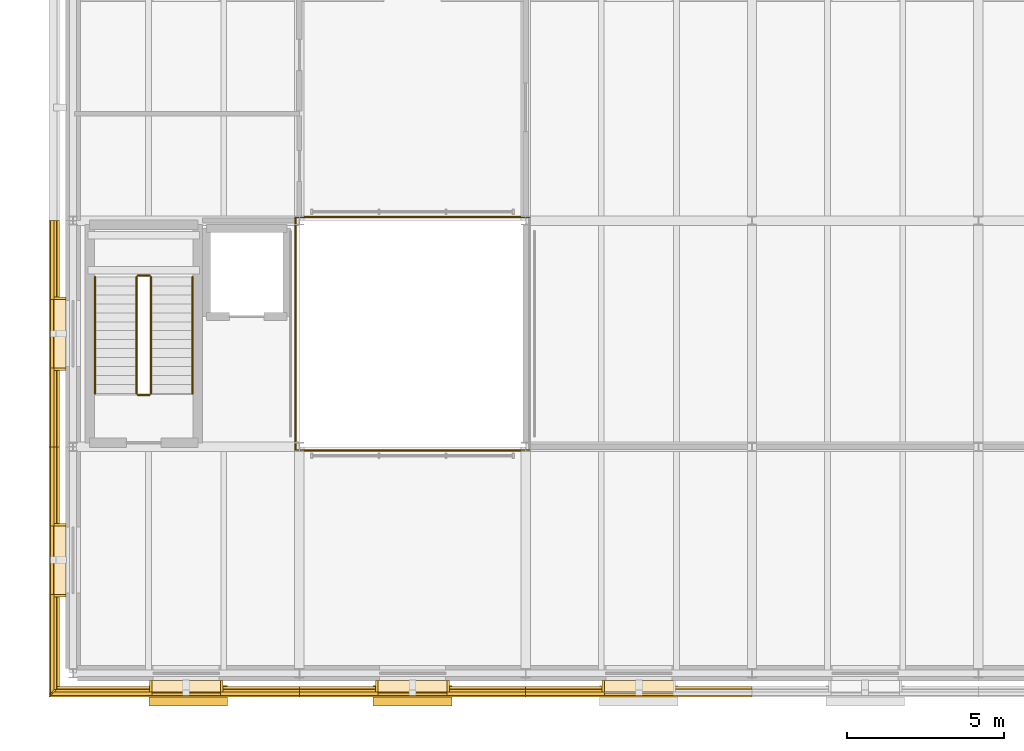
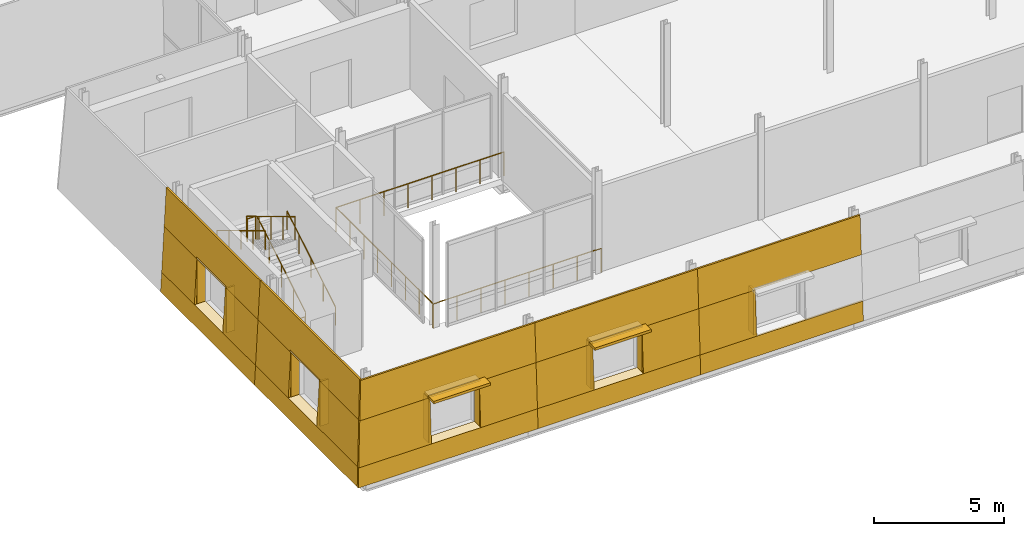
# One storey, part 99 of 121: 37 coverings, 9 railings, 2 shading devices.
"""IFC4 building model written with IfcOpenShell, lengths in metres."""

from ifc_helpers import new_model, si_unit, direction, frame, origin, origin_2d, place, context, subcontext, project, spatial, polyline, rectangle, circle, outline, extrude, material, layer, layer_set, type_object, element, save


model = new_model("IFC4")

# Units and contexts
model_context = context("Model", 3, precision=1e-05, world=origin(), true_north=direction((0.0, 1.0)))
body_context = subcontext(model_context, "Body", "Model", "MODEL_VIEW")
ifc_project = project(units=[si_unit("LENGTHUNIT", "METRE"), si_unit("AREAUNIT", "SQUARE_METRE"), si_unit("VOLUMEUNIT", "CUBIC_METRE"), si_unit("PLANEANGLEUNIT", "RADIAN"), si_unit("MASSUNIT", "GRAM", prefix="KILO")], contexts=[model_context])

# Site, building, storey
site_placement = place(None, origin())
site = spatial("IfcSite", under=ifc_project, at=site_placement, CompositionType="ELEMENT")
building_placement = place(site_placement, origin())
building = spatial("IfcBuilding", under=site, at=building_placement, Name="Narikvali Park Central Library", CompositionType="ELEMENT")
storey_placement = place(building_placement, frame((0.0, 0.0, 5.39990234375)))
storey = spatial("IfcBuildingStorey", under=building, at=storey_placement, Name="L01", CompositionType="ELEMENT", Elevation=5.39990234375)

# Railings
ifc_material_1 = material(Name="Laminated Tempered Glass and Stainless Steel", Category="steel")
ifc_layer_1 = layer(ifc_material_1, 0.06005859375, Name="Laminated Tempered Glass and Stainless Steel")
ifc_layer_set_1 = layer_set([ifc_layer_1], Name="Laminated Tempered Glass and Stainless Steel")
railing_type_1 = type_object("IfcRailingType", Name="Atrium Void Tempered Glass Guardrail 1150", PredefinedType="GUARDRAIL", material=ifc_layer_set_1)
railing_1_placement = place(storey_placement, frame((7.080078125, 7.080078125, 0.0)))
element("IfcRailing", 1, at=railing_1_placement, inside=storey, type_object=railing_type_1, Name="V2 L01 Void Edge Guardrail S", PredefinedType="GUARDRAIL", context=body_context, shape_type="SweptSolid", body=[
    extrude(circle(Radius=0.02392578125, at=origin_2d()), frame((0.0, 0.0, 1.1259765625), z_axis=(1.0, 0.0, 0.0), x_axis=(0.0, 1.0, 0.0)), (0.0, 0.0, 1.0), 7.43994140625),
    extrude(circle(Radius=0.02099609375, at=origin_2d()), origin(), (0.0, 0.0, 1.0), 1.101806640625),
    extrude(circle(Radius=0.02099609375, at=origin_2d()), frame((1.062744140625, 0.0, 0.0)), (0.0, 0.0, 1.0), 1.101806640625),
    extrude(circle(Radius=0.02099609375, at=origin_2d()), frame((2.125732421875, 0.0, 0.0)), (0.0, 0.0, 1.0), 1.101806640625),
    extrude(circle(Radius=0.02099609375, at=origin_2d()), frame((3.1884765625, 0.0, 0.0)), (0.0, 0.0, 1.0), 1.101806640625),
    extrude(circle(Radius=0.02099609375, at=origin_2d()), frame((4.25146484375, 0.0, 0.0)), (0.0, 0.0, 1.0), 1.101806640625),
    extrude(circle(Radius=0.02099609375, at=origin_2d()), frame((5.314208984375, 0.0, 0.0)), (0.0, 0.0, 1.0), 1.101806640625),
    extrude(circle(Radius=0.02099609375, at=origin_2d()), frame((6.377197265625, 0.0, 0.0)), (0.0, 0.0, 1.0), 1.101806640625),
    extrude(circle(Radius=0.02099609375, at=origin_2d()), frame((7.43994140625, 0.0, 0.0)), (0.0, 0.0, 1.0), 1.101806640625),
])
railing_2_placement = place(storey_placement, frame((14.52001953125, 14.52001953125, 0.0)))
element("IfcRailing", 2, at=railing_2_placement, inside=storey, type_object=railing_type_1, Name="V2 L01 Void Edge Guardrail N", PredefinedType="GUARDRAIL", context=body_context, shape_type="SweptSolid", body=[
    extrude(circle(Radius=0.02392578125, at=origin_2d()), frame((0.0, 0.0, 1.1259765625), z_axis=(-1.0, 0.0, 0.0), x_axis=(0.0, -1.0, 0.0)), (0.0, 0.0, 1.0), 7.43994140625),
    extrude(circle(Radius=0.02099609375, at=origin_2d()), origin(), (0.0, 0.0, 1.0), 1.101806640625),
    extrude(circle(Radius=0.02099609375, at=origin_2d()), frame((-1.062744140625, 0.0, 0.0)), (0.0, 0.0, 1.0), 1.101806640625),
    extrude(circle(Radius=0.02099609375, at=origin_2d()), frame((-2.125732421875, 0.0, 0.0)), (0.0, 0.0, 1.0), 1.101806640625),
    extrude(circle(Radius=0.02099609375, at=origin_2d()), frame((-3.1884765625, 0.0, 0.0)), (0.0, 0.0, 1.0), 1.101806640625),
    extrude(circle(Radius=0.02099609375, at=origin_2d()), frame((-4.25146484375, 0.0, 0.0)), (0.0, 0.0, 1.0), 1.101806640625),
    extrude(circle(Radius=0.02099609375, at=origin_2d()), frame((-5.314208984375, 0.0, 0.0)), (0.0, 0.0, 1.0), 1.101806640625),
    extrude(circle(Radius=0.02099609375, at=origin_2d()), frame((-6.377197265625, 0.0, 0.0)), (0.0, 0.0, 1.0), 1.101806640625),
    extrude(circle(Radius=0.02099609375, at=origin_2d()), frame((-7.43994140625, 0.0, 0.0)), (0.0, 0.0, 1.0), 1.101806640625),
])
railing_3_placement = place(storey_placement, frame((7.080078125, 14.52001953125, 0.0)))
element("IfcRailing", 3, at=railing_3_placement, inside=storey, type_object=railing_type_1, Name="V2 L01 Void Edge Guardrail W", PredefinedType="GUARDRAIL", context=body_context, shape_type="SweptSolid", body=[
    extrude(circle(Radius=0.02392578125, at=origin_2d()), frame((0.0, 0.0, 1.1259765625), z_axis=(0.0, -1.0, 0.0), x_axis=(1.0, 0.0, 0.0)), (0.0, 0.0, 1.0), 7.43994140625),
    extrude(circle(Radius=0.02099609375, at=origin_2d()), origin(), (0.0, 0.0, 1.0), 1.101806640625),
    extrude(circle(Radius=0.02099609375, at=origin_2d()), frame((0.0, -1.062744140625, 0.0)), (0.0, 0.0, 1.0), 1.101806640625),
    extrude(circle(Radius=0.02099609375, at=origin_2d()), frame((0.0, -2.125732421875, 0.0)), (0.0, 0.0, 1.0), 1.101806640625),
    extrude(circle(Radius=0.02099609375, at=origin_2d()), frame((0.0, -3.1884765625, 0.0)), (0.0, 0.0, 1.0), 1.101806640625),
    extrude(circle(Radius=0.02099609375, at=origin_2d()), frame((0.0, -4.25146484375, 0.0)), (0.0, 0.0, 1.0), 1.101806640625),
    extrude(circle(Radius=0.02099609375, at=origin_2d()), frame((0.0, -5.314208984375, 0.0)), (0.0, 0.0, 1.0), 1.101806640625),
    extrude(circle(Radius=0.02099609375, at=origin_2d()), frame((0.0, -6.377197265625, 0.0)), (0.0, 0.0, 1.0), 1.101806640625),
    extrude(circle(Radius=0.02099609375, at=origin_2d()), frame((0.0, -7.43994140625, 0.0)), (0.0, 0.0, 1.0), 1.101806640625),
])

# Coverings
ifc_material_2 = material(Name="White Honed Limestone Cladding", Category="masonry")
ifc_layer_2 = layer(ifc_material_2, 0.0849609375, Name="White Honed Limestone Cladding")
ifc_layer_set_2 = layer_set([ifc_layer_2], Name="White Honed Limestone Cladding")
covering_type_1 = type_object("IfcCoveringType", Name="Battered White Limestone Facade Cladding Panel", PredefinedType="CLADDING", material=ifc_layer_set_2)
covering_1_placement = place(storey_placement, frame((-0.758544921875, -0.758544921875, 0.0), z_axis=(0.0, -0.998646856064, 0.05200439283), x_axis=(1.0, 0.0, 0.0)))
element("IfcCovering", 4, at=covering_1_placement, inside=storey, type_object=covering_type_1, Name="V2 L01 S Battered Limestone Spandrel B01", PredefinedType="CLADDING", context=body_context, shape_type="SweptSolid", body=[
    extrude(outline(polyline([(0.0, 0.0), (7.95849609375, 0.0), (7.95849609375, 0.9013661625320046), (0.046875, 0.9013661625320046), (0.0, 0.0)])), origin(), (0.0, 0.0, -1.0), 0.0849609375),
])
covering_2_placement = place(storey_placement, frame((-0.602294921875, -0.602294921875, 3.0), z_axis=(0.0, -0.998639445418, 0.052146505695), x_axis=(1.0, 0.0, 0.0)))
element("IfcCovering", 5, at=covering_2_placement, inside=storey, type_object=covering_type_1, Name="V2 L01 S Battered Limestone Lintel B01", PredefinedType="CLADDING", context=body_context, shape_type="SweptSolid", body=[
    extrude(outline(polyline([(0.0, 0.0), (7.80224609375, 0.0), (7.80224609375, 1.8025012294325955), (0.093994140625, 1.8025012294325955), (0.0, 0.0)])), origin(), (0.0, 0.0, -1.0), 0.0849609375),
])
covering_3_placement = place(storey_placement, frame((-0.711669921875, -0.711669921875, 0.900146484375), z_axis=(0.0, -0.998646227972, 0.052016452753), x_axis=(1.0, 0.0, 0.0)))
element("IfcCovering", 6, at=covering_3_placement, inside=storey, type_object=covering_type_1, Name="V2 L01 S Battered Limestone Jamb Pier L B01", PredefinedType="CLADDING", context=body_context, shape_type="SweptSolid", body=[
    extrude(outline(polyline([(0.0, 0.0), (3.2216796875, 0.0), (3.2216796875, 2.1027000921928147), (0.109375, 2.1027000921928147), (0.0, 0.0)])), origin(), (0.0, 0.0, -1.0), 0.0849609375),
])
covering_4_placement = place(storey_placement, frame((4.68994140625, -0.711669921875, 0.900146484375), z_axis=(0.0, -0.998646227972, 0.052016452753), x_axis=(1.0, 0.0, 0.0)))
element("IfcCovering", 7, at=covering_4_placement, inside=storey, type_object=covering_type_1, Name="V2 L01 S Battered Limestone Jamb Pier R B01", PredefinedType="CLADDING", context=body_context, shape_type="SweptSolid", body=[
    extrude(outline(polyline([(0.0, 0.0), (2.510009765625, 0.0), (2.510009765625, 2.102700092192815), (0.0, 2.102700092192815), (0.0, 0.0)])), origin(), (0.0, 0.0, -1.0), 0.0849609375),
])
covering_5_placement = place(storey_placement, frame((7.199951171875, -0.758544921875, 0.0), z_axis=(0.0, -0.998646856064, 0.05200439283), x_axis=(1.0, 0.0, 0.0)))
element("IfcCovering", 8, at=covering_5_placement, inside=storey, type_object=covering_type_1, Name="V2 L01 S Battered Limestone Spandrel B02", PredefinedType="CLADDING", context=body_context, shape_type="SweptSolid", body=[
    extrude(outline(polyline([(0.0, 0.0), (7.199951171875, 0.0), (7.199951171875, 0.9013661625320046), (0.0, 0.9013661625320046), (0.0, 0.0)])), origin(), (0.0, 0.0, -1.0), 0.0849609375),
])
covering_6_placement = place(storey_placement, frame((7.199951171875, -0.602294921875, 3.0), z_axis=(0.0, -0.998639445418, 0.052146505695), x_axis=(1.0, 0.0, 0.0)))
element("IfcCovering", 9, at=covering_6_placement, inside=storey, type_object=covering_type_1, Name="V2 L01 S Battered Limestone Lintel B02", PredefinedType="CLADDING", context=body_context, shape_type="SweptSolid", body=[
    extrude(outline(polyline([(0.0, 0.0), (7.199951171875, 0.0), (7.199951171875, 1.8025012294325955), (0.0, 1.8025012294325955), (0.0, 0.0)])), origin(), (0.0, 0.0, -1.0), 0.0849609375),
])
for number, where, z_axis, x_axis, name in (
    (10, (7.199951171875, -0.711669921875, 0.900146484375), (0.0, -0.998646227972, 0.052016452753), (1.0, 0.0, 0.0), "V2 L01 S Battered Limestone Jamb Pier L B02"),
    (11, (11.889892578125, -0.711669921875, 0.900146484375), (0.0, -0.998646227972, 0.052016452753), (1.0, 0.0, 0.0), "V2 L01 S Battered Limestone Jamb Pier R B02"),
):
    element("IfcCovering", number, at=place(storey_placement, frame(where, z_axis=z_axis, x_axis=x_axis)), inside=storey, type_object=covering_type_1, Name=name, PredefinedType="CLADDING", context=body_context, shape_type="SweptSolid", body=[
        extrude(outline(polyline([(0.0, 0.0), (2.510009765625, 0.0), (2.510009765625, 2.102700092192815), (0.0, 2.102700092192815), (0.0, 0.0)])), origin(), (0.0, 0.0, -1.0), 0.0849609375),
    ])
covering_7_placement = place(storey_placement, frame((14.39990234375, -0.758544921875, 0.0), z_axis=(0.0, -0.998646856064, 0.05200439283), x_axis=(1.0, 0.0, 0.0)))
element("IfcCovering", 12, at=covering_7_placement, inside=storey, type_object=covering_type_1, Name="V2 L01 S Battered Limestone Spandrel B03", PredefinedType="CLADDING", context=body_context, shape_type="SweptSolid", body=[
    extrude(outline(polyline([(0.0, 0.0), (7.2001953125, 0.0), (7.2001953125, 0.9013661625320046), (0.0, 0.9013661625320046), (0.0, 0.0)])), origin(), (0.0, 0.0, -1.0), 0.0849609375),
])
covering_8_placement = place(storey_placement, frame((14.39990234375, -0.602294921875, 3.0), z_axis=(0.0, -0.998639445418, 0.052146505695), x_axis=(1.0, 0.0, 0.0)))
element("IfcCovering", 13, at=covering_8_placement, inside=storey, type_object=covering_type_1, Name="V2 L01 S Battered Limestone Lintel B03", PredefinedType="CLADDING", context=body_context, shape_type="SweptSolid", body=[
    extrude(outline(polyline([(0.0, 0.0), (7.2001953125, 0.0), (7.2001953125, 1.8025012294325955), (0.0, 1.8025012294325955), (0.0, 0.0)])), origin(), (0.0, 0.0, -1.0), 0.0849609375),
])
covering_9_placement = place(storey_placement, frame((14.39990234375, -0.711669921875, 0.900146484375), z_axis=(0.0, -0.998646227972, 0.052016452753), x_axis=(1.0, 0.0, 0.0)))
element("IfcCovering", 14, at=covering_9_placement, inside=storey, type_object=covering_type_1, Name="V2 L01 S Battered Limestone Jamb Pier L B03", PredefinedType="CLADDING", context=body_context, shape_type="SweptSolid", body=[
    extrude(outline(polyline([(0.0, 0.0), (2.510009765625, 0.0), (2.510009765625, 2.102700092192815), (0.0, 2.102700092192815), (0.0, 0.0)])), origin(), (0.0, 0.0, -1.0), 0.0849609375),
])
covering_10_placement = place(storey_placement, frame((-0.758544921875, 14.39990234375, 0.0), z_axis=(-0.998646856064, 0.0, 0.05200439283), x_axis=(0.0, -1.0, 0.0)))
element("IfcCovering", 15, at=covering_10_placement, inside=storey, type_object=covering_type_1, Name="V2 L01 W Battered Limestone Spandrel B02", PredefinedType="CLADDING", context=body_context, shape_type="SweptSolid", body=[
    extrude(outline(polyline([(0.0, 0.0), (7.199951171875, 0.0), (7.199951171875, 0.9013661625320046), (0.0, 0.9013661625320046), (0.0, 0.0)])), origin(), (0.0, 0.0, -1.0), 0.0849609375),
])
covering_11_placement = place(storey_placement, frame((-0.602294921875, 14.39990234375, 3.0), z_axis=(-0.998639445418, 0.0, 0.052146505695), x_axis=(0.0, -1.0, 0.0)))
element("IfcCovering", 16, at=covering_11_placement, inside=storey, type_object=covering_type_1, Name="V2 L01 W Battered Limestone Lintel B02", PredefinedType="CLADDING", context=body_context, shape_type="SweptSolid", body=[
    extrude(outline(polyline([(0.0, 0.0), (7.199951171875, 0.0), (7.199951171875, 1.8025012294325955), (0.0, 1.8025012294325955), (0.0, 0.0)])), origin(), (0.0, 0.0, -1.0), 0.0849609375),
])
for number, where, z_axis, x_axis, name in (
    (17, (-0.711669921875, 14.39990234375, 0.900146484375), (-0.998646227972, 0.0, 0.052016452753), (0.0, -1.0, 0.0), "V2 L01 W Battered Limestone Jamb Pier L B02"),
    (18, (-0.711669921875, 9.7099609375, 0.900146484375), (-0.998646227972, 0.0, 0.052016452753), (0.0, -1.0, 0.0), "V2 L01 W Battered Limestone Jamb Pier R B02"),
):
    element("IfcCovering", number, at=place(storey_placement, frame(where, z_axis=z_axis, x_axis=x_axis)), inside=storey, type_object=covering_type_1, Name=name, PredefinedType="CLADDING", context=body_context, shape_type="SweptSolid", body=[
        extrude(outline(polyline([(0.0, 0.0), (2.510009765625, 0.0), (2.510009765625, 2.102700092192815), (0.0, 2.102700092192815), (0.0, 0.0)])), origin(), (0.0, 0.0, -1.0), 0.0849609375),
    ])
covering_12_placement = place(storey_placement, frame((-0.758544921875, 7.199951171875, 0.0), z_axis=(-0.998646856064, 0.0, 0.05200439283), x_axis=(0.0, -1.0, 0.0)))
element("IfcCovering", 19, at=covering_12_placement, inside=storey, type_object=covering_type_1, Name="V2 L01 W Battered Limestone Spandrel B03", PredefinedType="CLADDING", context=body_context, shape_type="SweptSolid", body=[
    extrude(outline(polyline([(0.0, 0.0), (7.87353515625, 0.0), (7.82666015625, 0.9013661625320045), (0.0, 0.9013661625320045), (0.0, 0.0)])), origin(), (0.0, 0.0, -1.0), 0.0849609375),
])
covering_13_placement = place(storey_placement, frame((-0.602294921875, 7.199951171875, 3.0), z_axis=(-0.998639445418, 0.0, 0.052146505695), x_axis=(0.0, -1.0, 0.0)))
element("IfcCovering", 20, at=covering_13_placement, inside=storey, type_object=covering_type_1, Name="V2 L01 W Battered Limestone Lintel B03", PredefinedType="CLADDING", context=body_context, shape_type="SweptSolid", body=[
    extrude(outline(polyline([(0.0, 0.0), (7.717041015625, 0.0), (7.623291015625, 1.8025012294325955), (0.0, 1.8025012294325955), (0.0, 0.0)])), origin(), (0.0, 0.0, -1.0), 0.0849609375),
])
covering_14_placement = place(storey_placement, frame((-0.711669921875, 7.199951171875, 0.900146484375), z_axis=(-0.998646227972, 0.0, 0.052016452753), x_axis=(0.0, -1.0, 0.0)))
element("IfcCovering", 21, at=covering_14_placement, inside=storey, type_object=covering_type_1, Name="V2 L01 W Battered Limestone Jamb Pier L B03", PredefinedType="CLADDING", context=body_context, shape_type="SweptSolid", body=[
    extrude(outline(polyline([(0.0, 0.0), (2.510009765625, 0.0), (2.510009765625, 2.102700092192815), (0.0, 2.102700092192815), (0.0, 0.0)])), origin(), (0.0, 0.0, -1.0), 0.0849609375),
])
covering_15_placement = place(storey_placement, frame((-0.711669921875, 2.510009765625, 0.900146484375), z_axis=(-0.998646227972, 0.0, 0.052016452753), x_axis=(0.0, -1.0, 0.0)))
element("IfcCovering", 22, at=covering_15_placement, inside=storey, type_object=covering_type_1, Name="V2 L01 W Battered Limestone Jamb Pier R B03", PredefinedType="CLADDING", context=body_context, shape_type="SweptSolid", body=[
    extrude(outline(polyline([(0.0, 0.0), (3.13671875, 0.0), (3.027099609375, 2.102700092192815), (0.0, 2.102700092192815), (0.0, 0.0)])), origin(), (0.0, 0.0, -1.0), 0.0849609375),
])

# Shading devices
ifc_material_3 = material(Name="Anodised Bronze Aluminium", Category="aluminium")
ifc_layer_3 = layer(ifc_material_3, 0.1201171875, Name="Anodised Bronze Aluminium")
ifc_layer_set_3 = layer_set([ifc_layer_3], Name="Anodised Bronze Aluminium")
shading_device_type = type_object("IfcShadingDeviceType", Name="Bronze Classical Cornice Sun Brise-Soleil 650", PredefinedType="SHUTTER", material=ifc_layer_set_3)
for number, where, z_axis, x_axis, name in (
    (23, (3.672119140625, -0.719970703125, 3.0), (0.0, 0.0, 1.0), (1.0, 0.0, 0.0), "V2 L01 Classical Bronze Brise-Soleil 01"),
    (24, (10.800048828125, -0.719970703125, 3.0), (0.0, 0.0, 1.0), (1.0, 0.0, 0.0), "V2 L01 Classical Bronze Brise-Soleil 02"),
):
    element("IfcShadingDevice", number, at=place(storey_placement, frame(where, z_axis=z_axis, x_axis=x_axis)), inside=storey, type_object=shading_device_type, Name=name, PredefinedType="SHUTTER", context=body_context, shape_type="SweptSolid", body=[
        extrude(rectangle(XDim=2.5, YDim=0.64990234375, at=origin_2d()), origin(), (0.0, 0.0, 1.0), 0.1201171875),
    ])

# Coverings
ifc_layer_4 = layer(ifc_material_2, 0.080078125, Name="White Honed Limestone Cladding")
ifc_layer_set_4 = layer_set([ifc_layer_4], Name="White Honed Limestone Cladding")
covering_type_2 = type_object("IfcCoveringType", Name="Deep Carved White Limestone Window Reveal", PredefinedType="CLADDING", material=ifc_layer_set_4)
covering_16_placement = place(storey_placement, frame((0.0, 0.0, 3.0)))
element("IfcCovering", 25, at=covering_16_placement, inside=storey, type_object=covering_type_2, Name="Deep Stone Reveal Head V2-RVL-L01-S-B01", PredefinedType="CLADDING", context=body_context, shape_type="SweptSolid", body=[
    extrude(outline(polyline([(2.469970703125, -0.22509765625), (4.72998046875, -0.22509765625), (4.72998046875, -0.602294921875), (2.469970703125, -0.602294921875), (2.469970703125, -0.22509765625)])), origin(), (0.0, 0.0, 1.0), 0.080078125),
])
covering_17_placement = place(storey_placement, frame((0.0, 0.0, 0.820068359375)))
element("IfcCovering", 26, at=covering_17_placement, inside=storey, type_object=covering_type_2, Name="Deep Stone Reveal Sill V2-RVL-L01-S-B01", PredefinedType="CLADDING", context=body_context, shape_type="SweptSolid", body=[
    extrude(outline(polyline([(2.469970703125, -0.22509765625), (4.72998046875, -0.22509765625), (4.72998046875, -0.711669921875), (2.469970703125, -0.711669921875), (2.469970703125, -0.22509765625)])), origin(), (0.0, 0.0, 1.0), 0.080078125),
])
covering_18_placement = place(storey_placement, frame((0.0, 0.0, 0.900146484375)))
element("IfcCovering", 27, at=covering_18_placement, inside=storey, type_object=covering_type_2, Name="Deep Stone Reveal Jamb L V2-RVL-L01-S-B01", PredefinedType="CLADDING", context=body_context, shape_type="SweptSolid", body=[
    extrude(outline(polyline([(2.429931640625, -0.22509765625), (2.510009765625, -0.22509765625), (2.510009765625, -0.602294921875), (2.429931640625, -0.602294921875), (2.429931640625, -0.22509765625)])), origin(), (0.0, 0.0, 1.0), 2.099853515625),
])
covering_19_placement = place(storey_placement, frame((0.0, 0.0, 0.900146484375)))
element("IfcCovering", 28, at=covering_19_placement, inside=storey, type_object=covering_type_2, Name="Deep Stone Reveal Jamb R V2-RVL-L01-S-B01", PredefinedType="CLADDING", context=body_context, shape_type="SweptSolid", body=[
    extrude(outline(polyline([(4.68994140625, -0.22509765625), (4.77001953125, -0.22509765625), (4.77001953125, -0.602294921875), (4.68994140625, -0.602294921875), (4.68994140625, -0.22509765625)])), origin(), (0.0, 0.0, 1.0), 2.099853515625),
])
covering_20_placement = place(storey_placement, frame((0.0, 0.0, 3.0)))
element("IfcCovering", 29, at=covering_20_placement, inside=storey, type_object=covering_type_2, Name="Deep Stone Reveal Head V2-RVL-L01-S-B02", PredefinedType="CLADDING", context=body_context, shape_type="SweptSolid", body=[
    extrude(outline(polyline([(9.669921875, -0.22509765625), (11.929931640625, -0.22509765625), (11.929931640625, -0.602294921875), (9.669921875, -0.602294921875), (9.669921875, -0.22509765625)])), origin(), (0.0, 0.0, 1.0), 0.080078125),
])
covering_21_placement = place(storey_placement, frame((0.0, 0.0, 0.820068359375)))
element("IfcCovering", 30, at=covering_21_placement, inside=storey, type_object=covering_type_2, Name="Deep Stone Reveal Sill V2-RVL-L01-S-B02", PredefinedType="CLADDING", context=body_context, shape_type="SweptSolid", body=[
    extrude(outline(polyline([(9.669921875, -0.22509765625), (11.929931640625, -0.22509765625), (11.929931640625, -0.711669921875), (9.669921875, -0.711669921875), (9.669921875, -0.22509765625)])), origin(), (0.0, 0.0, 1.0), 0.080078125),
])
covering_22_placement = place(storey_placement, frame((0.0, 0.0, 0.900146484375)))
element("IfcCovering", 31, at=covering_22_placement, inside=storey, type_object=covering_type_2, Name="Deep Stone Reveal Jamb L V2-RVL-L01-S-B02", PredefinedType="CLADDING", context=body_context, shape_type="SweptSolid", body=[
    extrude(outline(polyline([(9.6298828125, -0.22509765625), (9.7099609375, -0.22509765625), (9.7099609375, -0.602294921875), (9.6298828125, -0.602294921875), (9.6298828125, -0.22509765625)])), origin(), (0.0, 0.0, 1.0), 2.099853515625),
])
covering_23_placement = place(storey_placement, frame((0.0, 0.0, 0.900146484375)))
element("IfcCovering", 32, at=covering_23_placement, inside=storey, type_object=covering_type_2, Name="Deep Stone Reveal Jamb R V2-RVL-L01-S-B02", PredefinedType="CLADDING", context=body_context, shape_type="SweptSolid", body=[
    extrude(outline(polyline([(11.889892578125, -0.22509765625), (11.969970703125, -0.22509765625), (11.969970703125, -0.602294921875), (11.889892578125, -0.602294921875), (11.889892578125, -0.22509765625)])), origin(), (0.0, 0.0, 1.0), 2.099853515625),
])
covering_24_placement = place(storey_placement, frame((0.0, 0.0, 3.0)))
element("IfcCovering", 33, at=covering_24_placement, inside=storey, type_object=covering_type_2, Name="Deep Stone Reveal Head V2-RVL-L01-S-B03", PredefinedType="CLADDING", context=body_context, shape_type="SweptSolid", body=[
    extrude(outline(polyline([(16.8701171875, -0.22509765625), (19.1298828125, -0.22509765625), (19.1298828125, -0.602294921875), (16.8701171875, -0.602294921875), (16.8701171875, -0.22509765625)])), origin(), (0.0, 0.0, 1.0), 0.080078125),
])
covering_25_placement = place(storey_placement, frame((0.0, 0.0, 0.900146484375)))
element("IfcCovering", 34, at=covering_25_placement, inside=storey, type_object=covering_type_2, Name="Deep Stone Reveal Jamb L V2-RVL-L01-S-B03", PredefinedType="CLADDING", context=body_context, shape_type="SweptSolid", body=[
    extrude(outline(polyline([(16.830078125, -0.22509765625), (16.909912109375, -0.22509765625), (16.909912109375, -0.602294921875), (16.830078125, -0.602294921875), (16.830078125, -0.22509765625)])), origin(), (0.0, 0.0, 1.0), 2.099853515625),
])
covering_26_placement = place(storey_placement, frame((0.0, 0.0, 3.0)))
element("IfcCovering", 35, at=covering_26_placement, inside=storey, type_object=covering_type_2, Name="Deep Stone Reveal Head V2-RVL-L01-W-B02", PredefinedType="CLADDING", context=body_context, shape_type="SweptSolid", body=[
    extrude(outline(polyline([(-0.22509765625, 11.929931640625), (-0.22509765625, 9.669921875), (-0.602294921875, 9.669921875), (-0.602294921875, 11.929931640625), (-0.22509765625, 11.929931640625)])), origin(), (0.0, 0.0, 1.0), 0.080078125),
])
covering_27_placement = place(storey_placement, frame((0.0, 0.0, 0.820068359375)))
element("IfcCovering", 36, at=covering_27_placement, inside=storey, type_object=covering_type_2, Name="Deep Stone Reveal Sill V2-RVL-L01-W-B02", PredefinedType="CLADDING", context=body_context, shape_type="SweptSolid", body=[
    extrude(outline(polyline([(-0.22509765625, 11.929931640625), (-0.22509765625, 9.669921875), (-0.711669921875, 9.669921875), (-0.711669921875, 11.929931640625), (-0.22509765625, 11.929931640625)])), origin(), (0.0, 0.0, 1.0), 0.080078125),
])
covering_28_placement = place(storey_placement, frame((0.0, 0.0, 0.900146484375)))
element("IfcCovering", 37, at=covering_28_placement, inside=storey, type_object=covering_type_2, Name="Deep Stone Reveal Jamb L V2-RVL-L01-W-B02", PredefinedType="CLADDING", context=body_context, shape_type="SweptSolid", body=[
    extrude(outline(polyline([(-0.22509765625, 11.969970703125), (-0.22509765625, 11.889892578125), (-0.602294921875, 11.889892578125), (-0.602294921875, 11.969970703125), (-0.22509765625, 11.969970703125)])), origin(), (0.0, 0.0, 1.0), 2.099853515625),
])
covering_29_placement = place(storey_placement, frame((0.0, 0.0, 0.900146484375)))
element("IfcCovering", 38, at=covering_29_placement, inside=storey, type_object=covering_type_2, Name="Deep Stone Reveal Jamb R V2-RVL-L01-W-B02", PredefinedType="CLADDING", context=body_context, shape_type="SweptSolid", body=[
    extrude(outline(polyline([(-0.22509765625, 9.7099609375), (-0.22509765625, 9.6298828125), (-0.602294921875, 9.6298828125), (-0.602294921875, 9.7099609375), (-0.22509765625, 9.7099609375)])), origin(), (0.0, 0.0, 1.0), 2.099853515625),
])
covering_30_placement = place(storey_placement, frame((0.0, 0.0, 3.0)))
element("IfcCovering", 39, at=covering_30_placement, inside=storey, type_object=covering_type_2, Name="Deep Stone Reveal Head V2-RVL-L01-W-B03", PredefinedType="CLADDING", context=body_context, shape_type="SweptSolid", body=[
    extrude(outline(polyline([(-0.22509765625, 4.72998046875), (-0.22509765625, 2.469970703125), (-0.602294921875, 2.469970703125), (-0.602294921875, 4.72998046875), (-0.22509765625, 4.72998046875)])), origin(), (0.0, 0.0, 1.0), 0.080078125),
])
covering_31_placement = place(storey_placement, frame((0.0, 0.0, 0.820068359375)))
element("IfcCovering", 40, at=covering_31_placement, inside=storey, type_object=covering_type_2, Name="Deep Stone Reveal Sill V2-RVL-L01-W-B03", PredefinedType="CLADDING", context=body_context, shape_type="SweptSolid", body=[
    extrude(outline(polyline([(-0.22509765625, 4.72998046875), (-0.22509765625, 2.469970703125), (-0.711669921875, 2.469970703125), (-0.711669921875, 4.72998046875), (-0.22509765625, 4.72998046875)])), origin(), (0.0, 0.0, 1.0), 0.080078125),
])
covering_32_placement = place(storey_placement, frame((0.0, 0.0, 0.900146484375)))
element("IfcCovering", 41, at=covering_32_placement, inside=storey, type_object=covering_type_2, Name="Deep Stone Reveal Jamb L V2-RVL-L01-W-B03", PredefinedType="CLADDING", context=body_context, shape_type="SweptSolid", body=[
    extrude(outline(polyline([(-0.22509765625, 4.77001953125), (-0.22509765625, 4.68994140625), (-0.602294921875, 4.68994140625), (-0.602294921875, 4.77001953125), (-0.22509765625, 4.77001953125)])), origin(), (0.0, 0.0, 1.0), 2.099853515625),
])
covering_33_placement = place(storey_placement, frame((0.0, 0.0, 0.900146484375)))
element("IfcCovering", 42, at=covering_33_placement, inside=storey, type_object=covering_type_2, Name="Deep Stone Reveal Jamb R V2-RVL-L01-W-B03", PredefinedType="CLADDING", context=body_context, shape_type="SweptSolid", body=[
    extrude(outline(polyline([(-0.22509765625, 2.510009765625), (-0.22509765625, 2.429931640625), (-0.602294921875, 2.429931640625), (-0.602294921875, 2.510009765625), (-0.22509765625, 2.510009765625)])), origin(), (0.0, 0.0, 1.0), 2.099853515625),
])

# Railings
ifc_material_4 = material(Name="Brushed Stainless Steel S355", Category="steel")
ifc_layer_5 = layer(ifc_material_4, 0.044921875, Name="Brushed Stainless Steel S355")
ifc_layer_set_5 = layer_set([ifc_layer_5], Name="Brushed Stainless Steel S355")
railing_type_2 = type_object("IfcRailingType", Name="Stair Tubular Steel Handrail 900", PredefinedType="HANDRAIL", material=ifc_layer_set_5)
railing_4_placement = place(storey_placement, frame((3.800048828125, 8.89990234375, 0.171630859375)))
element("IfcRailing", 43, at=railing_4_placement, inside=storey, type_object=railing_type_2, Name="L01 ST-03 stair handrail 1", PredefinedType="HANDRAIL", context=body_context, shape_type="SweptSolid", body=[
    extrude(circle(Radius=0.02392578125, at=origin_2d()), frame((0.0, 0.0, 0.8759765625), z_axis=(0.0, 0.856934400257, 0.515425487977), x_axis=(-1.0, 0.0, 0.0)), (0.0, 0.0, 1.0), 4.32373046875),
    extrude(circle(Radius=0.02099609375, at=origin_2d()), origin(), (0.0, 0.0, 1.0), 0.851806640625),
    extrude(circle(Radius=0.02099609375, at=origin_2d()), frame((0.0, 0.92626953125, 0.55712890625)), (0.0, 0.0, 1.0), 0.851806640625),
    extrude(circle(Radius=0.02099609375, at=origin_2d()), frame((0.0, 1.8525390625, 1.1142578125)), (0.0, 0.0, 1.0), 0.851806640625),
    extrude(circle(Radius=0.02099609375, at=origin_2d()), frame((0.0, 2.77880859375, 1.67138671875)), (0.0, 0.0, 1.0), 0.851806640625),
    extrude(circle(Radius=0.02099609375, at=origin_2d()), frame((0.0, 3.705078125, 2.228515625)), (0.0, 0.0, 1.0), 0.851806640625),
])
railing_5_placement = place(storey_placement, frame((0.699951171875, 12.60498046875, 2.571533203125)))
element("IfcRailing", 44, at=railing_5_placement, inside=storey, type_object=railing_type_2, Name="L01 ST-03 stair handrail 2", PredefinedType="HANDRAIL", context=body_context, shape_type="SweptSolid", body=[
    extrude(circle(Radius=0.02392578125, at=origin_2d()), frame((0.0, 0.0, 0.8759765625), z_axis=(0.0, -0.856934400257, 0.515425487977), x_axis=(1.0, 0.0, 0.0)), (0.0, 0.0, 1.0), 4.32373046875),
    extrude(circle(Radius=0.02099609375, at=origin_2d()), origin(), (0.0, 0.0, 1.0), 0.851806640625),
    extrude(circle(Radius=0.02099609375, at=origin_2d()), frame((0.0, -0.92626953125, 0.55712890625)), (0.0, 0.0, 1.0), 0.851806640625),
    extrude(circle(Radius=0.02099609375, at=origin_2d()), frame((0.0, -1.8525390625, 1.1142578125)), (0.0, 0.0, 1.0), 0.851806640625),
    extrude(circle(Radius=0.02099609375, at=origin_2d()), frame((0.0, -2.77880859375, 1.67138671875)), (0.0, 0.0, 1.0), 0.851806640625),
    extrude(circle(Radius=0.02099609375, at=origin_2d()), frame((0.0, -3.705078125, 2.228515625)), (0.0, 0.0, 1.0), 0.851806640625),
])
ifc_material_5 = material(Name="Powder-Coated Steel S275", Category="steel")
ifc_layer_6 = layer(ifc_material_5, 0.050048828125, Name="Powder-Coated Steel S275")
ifc_layer_set_6 = layer_set([ifc_layer_6], Name="Powder-Coated Steel S275")
railing_type_3 = type_object("IfcRailingType", Name="Stair Well Steel Guardrail 1100", PredefinedType="GUARDRAIL", material=ifc_layer_set_6)
railing_6_placement = place(storey_placement, frame((2.47998046875, 8.89990234375, 0.171630859375)))
element("IfcRailing", 45, at=railing_6_placement, inside=storey, type_object=railing_type_3, Name="L01 ST-03 stair guard 1", PredefinedType="GUARDRAIL", context=body_context, shape_type="SweptSolid", body=[
    extrude(circle(Radius=0.02392578125, at=origin_2d()), frame((0.0, 0.0, 1.076171875), z_axis=(0.0, 0.856934400257, 0.515425487977), x_axis=(-1.0, 0.0, 0.0)), (0.0, 0.0, 1.0), 4.32373046875),
    extrude(circle(Radius=0.02099609375, at=origin_2d()), origin(), (0.0, 0.0, 1.0), 1.052001953125),
    extrude(circle(Radius=0.02099609375, at=origin_2d()), frame((0.0, 0.92626953125, 0.55712890625)), (0.0, 0.0, 1.0), 1.052001953125),
    extrude(circle(Radius=0.02099609375, at=origin_2d()), frame((0.0, 1.8525390625, 1.1142578125)), (0.0, 0.0, 1.0), 1.052001953125),
    extrude(circle(Radius=0.02099609375, at=origin_2d()), frame((0.0, 2.77880859375, 1.67138671875)), (0.0, 0.0, 1.0), 1.052001953125),
    extrude(circle(Radius=0.02099609375, at=origin_2d()), frame((0.0, 3.705078125, 2.228515625)), (0.0, 0.0, 1.0), 1.052001953125),
])
railing_7_placement = place(storey_placement, frame((2.429931640625, 12.655029296875, 2.400146484375)))
element("IfcRailing", 46, at=railing_7_placement, inside=storey, type_object=railing_type_3, Name="L01 ST-03 stair guard 2", PredefinedType="GUARDRAIL", context=body_context, shape_type="SweptSolid", body=[
    extrude(circle(Radius=0.02392578125, at=origin_2d()), frame((0.0, 0.0, 1.076171875), z_axis=(-1.0, 0.0, 0.0), x_axis=(0.0, -1.0, 0.0)), (0.0, 0.0, 1.0), 0.35986328125),
    extrude(circle(Radius=0.02099609375, at=origin_2d()), origin(), (0.0, 0.0, 1.0), 1.052001953125),
    extrude(circle(Radius=0.02099609375, at=origin_2d()), frame((-0.35986328125, 0.0, 0.0)), (0.0, 0.0, 1.0), 1.052001953125),
])
railing_8_placement = place(storey_placement, frame((2.02001953125, 12.60498046875, 2.571533203125)))
element("IfcRailing", 47, at=railing_8_placement, inside=storey, type_object=railing_type_3, Name="L01 ST-03 stair guard 3", PredefinedType="GUARDRAIL", context=body_context, shape_type="SweptSolid", body=[
    extrude(circle(Radius=0.02392578125, at=origin_2d()), frame((0.0, 0.0, 1.076171875), z_axis=(0.0, -0.856934400257, 0.515425487977), x_axis=(1.0, 0.0, 0.0)), (0.0, 0.0, 1.0), 4.32373046875),
    extrude(circle(Radius=0.02099609375, at=origin_2d()), origin(), (0.0, 0.0, 1.0), 1.052001953125),
    extrude(circle(Radius=0.02099609375, at=origin_2d()), frame((0.0, -0.92626953125, 0.55712890625)), (0.0, 0.0, 1.0), 1.052001953125),
    extrude(circle(Radius=0.02099609375, at=origin_2d()), frame((0.0, -1.8525390625, 1.1142578125)), (0.0, 0.0, 1.0), 1.052001953125),
    extrude(circle(Radius=0.02099609375, at=origin_2d()), frame((0.0, -2.77880859375, 1.67138671875)), (0.0, 0.0, 1.0), 1.052001953125),
    extrude(circle(Radius=0.02099609375, at=origin_2d()), frame((0.0, -3.705078125, 2.228515625)), (0.0, 0.0, 1.0), 1.052001953125),
])
railing_9_placement = place(storey_placement, frame((2.429931640625, 8.85009765625, 0.0)))
element("IfcRailing", 48, at=railing_9_placement, inside=storey, type_object=railing_type_3, Name="L01 ST-03 stair guard 4", PredefinedType="GUARDRAIL", context=body_context, shape_type="SweptSolid", body=[
    extrude(circle(Radius=0.02392578125, at=origin_2d()), frame((0.0, 0.0, 1.076171875), z_axis=(-1.0, 0.0, 0.0), x_axis=(0.0, -1.0, 0.0)), (0.0, 0.0, 1.0), 0.35986328125),
    extrude(circle(Radius=0.02099609375, at=origin_2d()), origin(), (0.0, 0.0, 1.0), 1.052001953125),
    extrude(circle(Radius=0.02099609375, at=origin_2d()), frame((-0.35986328125, 0.0, 0.0)), (0.0, 0.0, 1.0), 1.052001953125),
])

save(model, "model.ifc")
